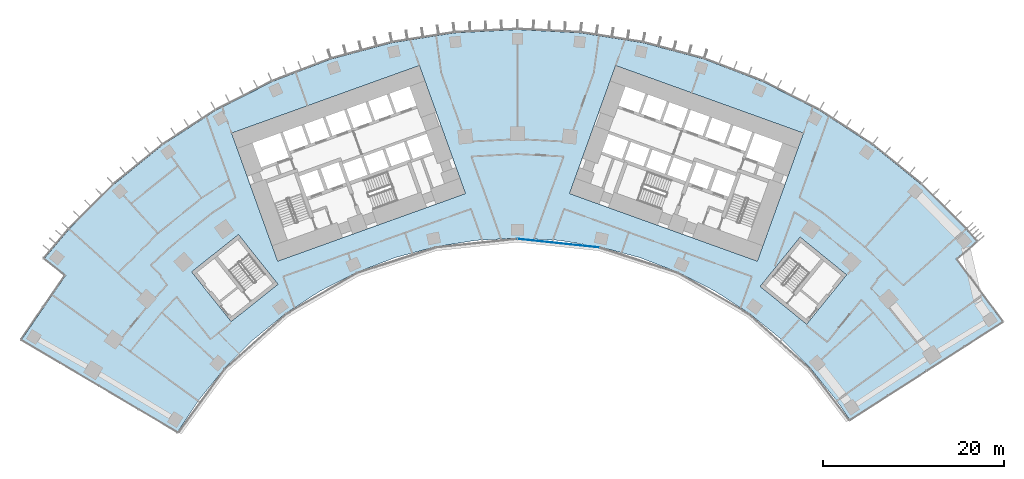
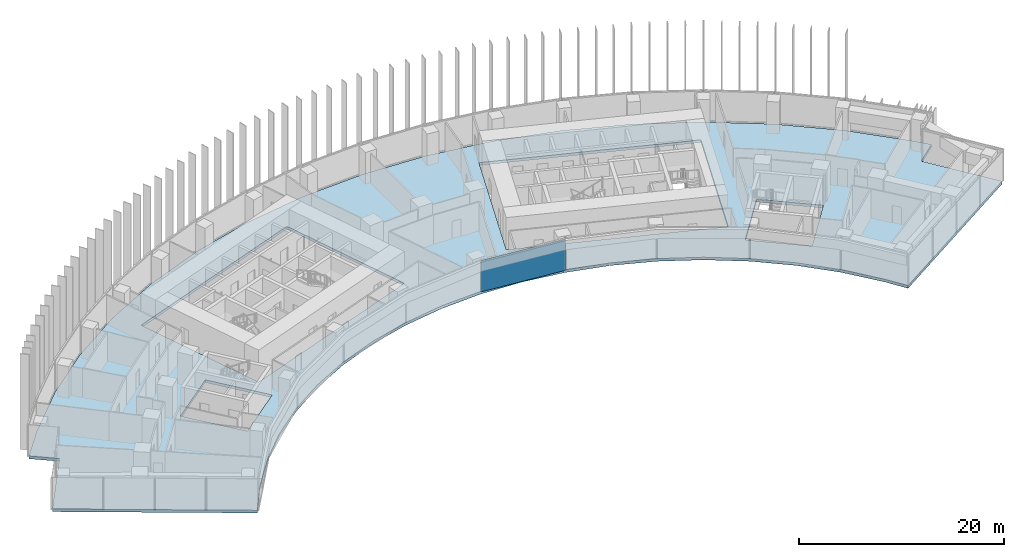
# One storey, part 16 of 25: 1 plate, 1 slab, 1 element without a shape of its own.
"""IFC4 building model written with IfcOpenShell, lengths in metres."""

from ifc_helpers import new_model, si_unit, direction, frame, origin, origin_2d, place, context, subcontext, project, spatial, polyline, rectangle, outline, extrude, material, layer, layer_set, type_object, element, aggregate, save


model = new_model("IFC4")

# Units and contexts
model_context = context("Model", 3, precision=1e-05, world=origin(), true_north=direction((0.0, 1.0)))
body_context = subcontext(model_context, "Body", "Model", "MODEL_VIEW")
ifc_project = project(units=[si_unit("LENGTHUNIT", "METRE"), si_unit("AREAUNIT", "SQUARE_METRE"), si_unit("VOLUMEUNIT", "CUBIC_METRE"), si_unit("PLANEANGLEUNIT", "RADIAN"), si_unit("MASSUNIT", "GRAM", prefix="KILO")], contexts=[model_context])

# Site, building, storey
site_placement = place(None, origin())
site = spatial("IfcSite", under=ifc_project, at=site_placement, CompositionType="ELEMENT")
building_placement = place(site_placement, origin())
building = spatial("IfcBuilding", under=site, at=building_placement, Name="Stone Belt Terrace Tower", CompositionType="ELEMENT")
storey_placement = place(building_placement, frame((0.0, 0.0, 52.800048828125)))
storey = spatial("IfcBuildingStorey", under=building, at=storey_placement, Name="L12", CompositionType="ELEMENT", Elevation=52.800048828125)

# Curtain wall, plate
ifc_material_1 = material(Name="Aluminium 6063-T6 anodised frame", Category="aluminium")
ifc_layer_1 = layer(ifc_material_1, 0.14990234375)
ifc_layer_set_1 = layer_set([ifc_layer_1], Name="CW-B unitised concave-face curtain wall")
curtain_wall_type = type_object("IfcCurtainWallType", Name="CW-B unitised concave-face curtain wall", PredefinedType="NOTDEFINED", material=ifc_layer_set_1)
curtain_wall_placement = place(storey_placement, origin())
curtain_wall = element("IfcCurtainWall", 1, at=curtain_wall_placement, inside=storey, type_object=curtain_wall_type, Name="CW-B concave face L12", PredefinedType="NOTDEFINED")
ifc_material_2 = material(Name="Clear double glazed unit")
ifc_layer_2 = layer(ifc_material_2, 0.030029296875)
ifc_layer_set_2 = layer_set([ifc_layer_2], Name="CW-B glass panel 30")
plate_type = type_object("IfcPlateType", Name="CW-B glass panel 30", PredefinedType="CURTAIN_PANEL", material=ifc_layer_set_2)
plate_placement = place(storey_placement, frame((4.51416015625, 42.9501953125, 0.0), z_axis=(0.0, 0.0, 1.0), x_axis=(0.994521895368, -0.104528463268, 0.0)))
plate = element("IfcPlate", 2, at=plate_placement, type_object=plate_type, Name="CW-B panel 6.1", PredefinedType="CURTAIN_PANEL", context=body_context, shape_type="SweptSolid", body=[
    extrude(rectangle(XDim=9.0126953125, YDim=0.030029296875, at=origin_2d()), origin(), (0.0, 0.0, 1.0), 3.679931640625),
])
aggregate(curtain_wall, [plate])

# Slab
ifc_material_3 = material(Name="Concrete B40", Category="concrete")
ifc_layer_3 = layer(ifc_material_3, 0.320068359375)
ifc_layer_set_3 = layer_set([ifc_layer_3], Name="Floor slab 320 B40")
slab_type = type_object("IfcSlabType", Name="Floor slab 320 B40", PredefinedType="FLOOR", material=ifc_layer_set_3)
slab_placement = place(storey_placement, frame((0.0, 0.0, -0.320068359375)))
element("IfcSlab", 3, at=slab_placement, inside=storey, type_object=slab_type, Name="Floor slab L12", PredefinedType="FLOOR", context=body_context, shape_type="SweptSolid", body=[
    extrude(outline(polyline([(-49.419189453125, 44.497314453125), (-44.497314453125, 49.419189453125), (-39.087646484375, 53.799560546875), (-33.25, 57.5908203125), (-27.048095703125, 60.750732421875), (-20.549560546875, 63.245361328125), (-13.826171875, 65.046875), (-6.951171875, 66.1357421875), (0.0, 66.5), (6.951171875, 66.1357421875), (13.826171875, 65.046875), (20.549560546875, 63.245361328125), (27.048095703125, 60.750732421875), (33.25, 57.5908203125), (39.087646484375, 53.799560546875), (44.497314453125, 49.419189453125), (49.419189453125, 44.497314453125), (50.59814453125, 43.151611328125), (48.315673828125, 41.205078125), (53.433349609375, 34.30908203125), (36.60400390625, 23.503173828125), (35.192138671875, 25.568603515625), (32.326904296875, 29.107177734375), (29.107177734375, 32.326904296875), (25.568603515625, 35.192138671875), (21.75, 37.672119140625), (17.693115234375, 39.7392578125), (13.442138671875, 41.37109375), (9.044189453125, 42.54931640625), (4.547119140625, 43.26171875), (0.0, 43.5), (-4.547119140625, 43.26171875), (-9.044189453125, 42.54931640625), (-13.442138671875, 41.37109375), (-17.693115234375, 39.7392578125), (-21.75, 37.672119140625), (-25.568603515625, 35.192138671875), (-29.107177734375, 32.326904296875), (-32.326904296875, 29.107177734375), (-35.192138671875, 25.568603515625), (-37.434326171875, 22.156982421875), (-54.6455078125, 32.343994140625), (-49.78173828125, 39.421142578125), (-52.133544921875, 41.28369140625), (-49.419189453125, 44.497314453125)]), holes=[polyline([(-26.434814453125, 40.968994140625), (-5.734619140625, 48.418701171875), (-10.81396484375, 62.532470703125), (-31.51416015625, 55.082763671875), (-26.434814453125, 40.968994140625)]), polyline([(10.81396484375, 62.532470703125), (5.734619140625, 48.418701171875), (26.434814453125, 40.968994140625), (31.51416015625, 55.082763671875), (10.81396484375, 62.532470703125)]), polyline([(-35.91796875, 39.787353515625), (-31.55615234375, 34.3125), (-26.39404296875, 38.425048828125), (-30.756103515625, 43.89990234375), (-35.91796875, 39.787353515625)]), polyline([(36.2783203125, 39.459228515625), (31.15380859375, 43.61865234375), (26.742431640625, 38.18359375), (31.86669921875, 34.024169921875), (36.2783203125, 39.459228515625)])]), origin(), (0.0, 0.0, 1.0), 0.320068359375),
])

save(model, "model.ifc")
